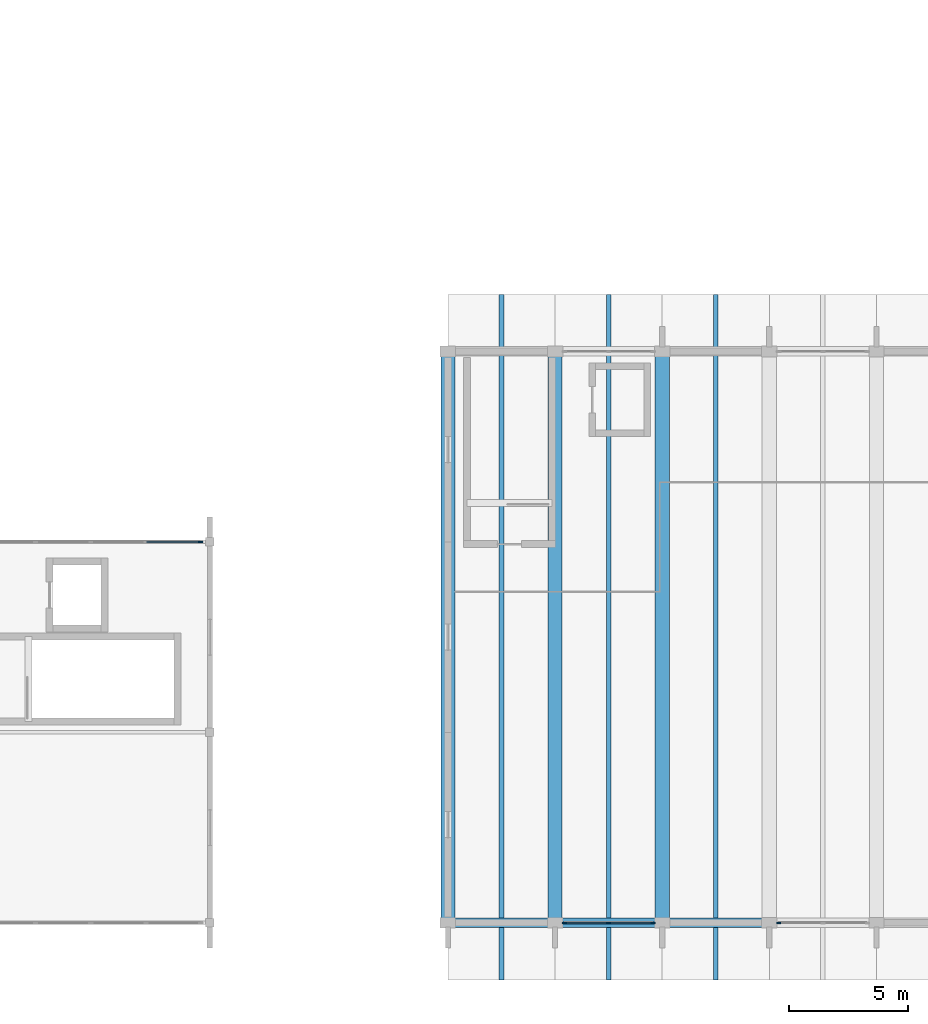
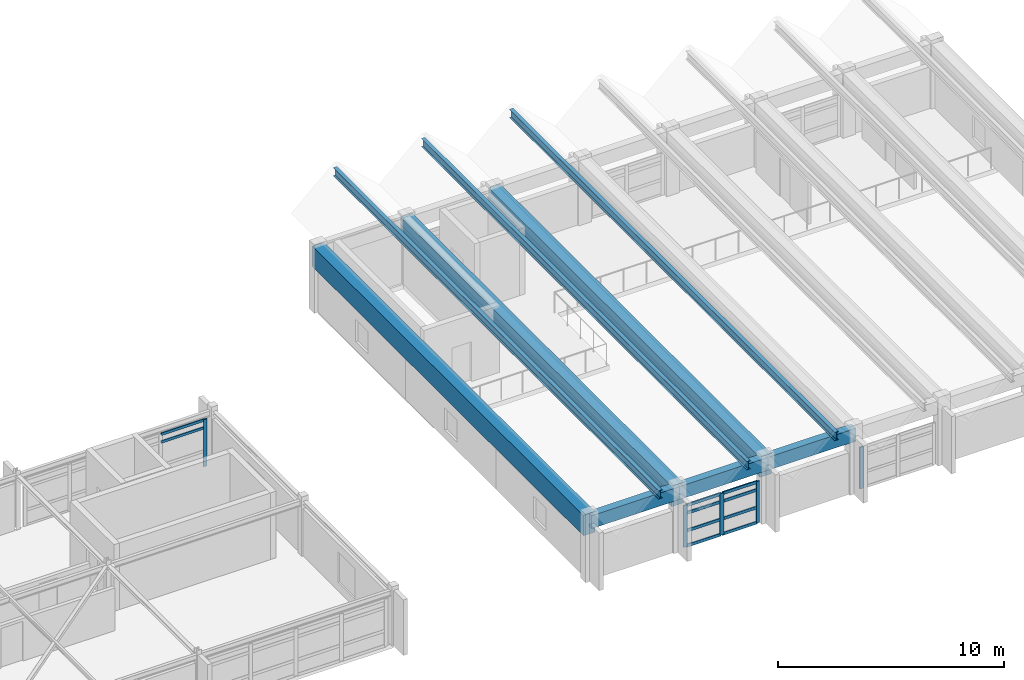
# One storey, part 13 of 83: 15 members, 9 beams, 3 elements without a shape of their own.
"""IFC4 building model written with IfcOpenShell, lengths in metres."""

from ifc_helpers import new_model, si_unit, direction, frame, origin, origin_2d, place, context, subcontext, project, spatial, rectangle, i_section, extrude, material, material_profile, profile_set, type_object, element, aggregate, save


model = new_model("IFC4")

# Units and contexts
model_context = context("Model", 3, precision=1e-05, world=origin(), true_north=direction((0.0, 1.0)))
body_context = subcontext(model_context, "Body", "Model", "MODEL_VIEW")
ifc_project = project(units=[si_unit("LENGTHUNIT", "METRE"), si_unit("AREAUNIT", "SQUARE_METRE"), si_unit("VOLUMEUNIT", "CUBIC_METRE"), si_unit("PLANEANGLEUNIT", "RADIAN"), si_unit("MASSUNIT", "GRAM", prefix="KILO")], contexts=[model_context])

# Site, building, storey
site_placement = place(None, origin())
site = spatial("IfcSite", under=ifc_project, at=site_placement, CompositionType="ELEMENT")
building_placement = place(site_placement, origin())
building = spatial("IfcBuilding", under=site, at=building_placement, Name="Zimvara Arc Housing Community", CompositionType="ELEMENT")
storey_placement = place(building_placement, frame((0.0, 0.0, 4.5)))
storey = spatial("IfcBuildingStorey", under=building, at=storey_placement, Name="L01", CompositionType="ELEMENT", Elevation=4.5)

# Beams
ifc_material_1 = material(Name="Concrete C40/50", Category="concrete")
ifc_material_profile_1 = material_profile(ifc_material_1, rectangle(XDim=0.39990234375, YDim=0.699951171875, at=origin_2d()), Name="RC 400x700")
ifc_profile_set_1 = profile_set([ifc_material_profile_1], Name="Concrete C40/50")
beam_type_1 = type_object("IfcBeamType", Name="BM-RC-400x700", PredefinedType="BEAM", material=ifc_profile_set_1)
for number, where, z_axis, x_axis, name in (
    (1, (68.0, 3.60009765625, 3.14990234375), (1.0, 0.0, 0.0), (0.0, 1.0, 0.0), "bm:hall:L01:eave:y0:b0"),
    (2, (72.5, 3.60009765625, 3.14990234375), (1.0, 0.0, 0.0), (0.0, 1.0, 0.0), "bm:hall:L01:eave:y0:b1"),
    (3, (77.0, 3.60009765625, 3.14990234375), (1.0, 0.0, 0.0), (0.0, 1.0, 0.0), "bm:hall:L01:eave:y0:b2"),
):
    element("IfcBeam", number, at=place(storey_placement, frame(where, z_axis=z_axis, x_axis=x_axis)), inside=storey, type_object=beam_type_1, Name=name, PredefinedType="BEAM", context=body_context, shape_type="SweptSolid", body=[
        extrude(rectangle(XDim=0.39990234375, YDim=0.699951171875, at=origin_2d()), origin(), (0.0, 0.0, 1.0), 4.5),
    ])
ifc_material_2 = material(Name="Concrete C40/50", Category="concrete")
ifc_material_profile_2 = material_profile(ifc_material_2, rectangle(XDim=0.60009765625, YDim=1.10009765625, at=origin_2d()), Name="RC 600x1100")
ifc_profile_set_2 = profile_set([ifc_material_profile_2], Name="Concrete C40/50")
beam_type_2 = type_object("IfcBeamType", Name="BM-RC-600x1100", PredefinedType="BEAM", material=ifc_profile_set_2)
for number, where, z_axis, x_axis, name in (
    (4, (68.0, 3.60009765625, 2.949951171875), (0.0, 1.0, 0.0), (-1.0, 0.0, 0.0), "bm:hall:L01:valley:b0"),
    (5, (72.5, 3.60009765625, 2.949951171875), (0.0, 1.0, 0.0), (-1.0, 0.0, 0.0), "bm:hall:L01:valley:b1"),
    (6, (77.0, 3.60009765625, 2.949951171875), (0.0, 1.0, 0.0), (-1.0, 0.0, 0.0), "bm:hall:L01:valley:b2"),
):
    element("IfcBeam", number, at=place(storey_placement, frame(where, z_axis=z_axis, x_axis=x_axis)), inside=storey, type_object=beam_type_2, Name=name, PredefinedType="BEAM", context=body_context, shape_type="SweptSolid", body=[
        extrude(rectangle(XDim=0.60009765625, YDim=1.10009765625, at=origin_2d()), origin(), (0.0, 0.0, 1.0), 24.0),
    ])
ifc_material_3 = material(Name="Steel S355", Category="steel")
ifc_material_profile_3 = material_profile(ifc_material_3, i_section(OverallWidth=0.18994140625, OverallDepth=0.449951171875, WebThickness=0.009521484375, FlangeThickness=0.0146484375, FilletRadius=0.02099609375, at=origin_2d()), Name="IPE 450")
ifc_profile_set_3 = profile_set([ifc_material_profile_3], Name="Steel S355")
beam_type_3 = type_object("IfcBeamType", Name="BM-ST-IPE450", PredefinedType="BEAM", material=ifc_profile_set_3)
for number, where, z_axis, x_axis, name in (
    (7, (70.25, 1.199951171875, 5.199951171875), (0.0, 1.0, 0.0), (-1.0, 0.0, 0.0), "bm:hall:L01:ridge:b0"),
    (8, (74.75, 1.199951171875, 5.199951171875), (0.0, 1.0, 0.0), (-1.0, 0.0, 0.0), "bm:hall:L01:ridge:b1"),
    (9, (79.25, 1.199951171875, 5.199951171875), (0.0, 1.0, 0.0), (-1.0, 0.0, 0.0), "bm:hall:L01:ridge:b2"),
):
    element("IfcBeam", number, at=place(storey_placement, frame(where, z_axis=z_axis, x_axis=x_axis)), inside=storey, type_object=beam_type_3, Name=name, PredefinedType="BEAM", context=body_context, shape_type="SweptSolid", body=[
        extrude(i_section(OverallWidth=0.18994140625, OverallDepth=0.449951171875, WebThickness=0.009521484375, FlangeThickness=0.0146484375, FilletRadius=0.02099609375, at=origin_2d()), origin(), (0.0, 0.0, 1.0), 28.800048828125),
    ])

# Curtain wall, member
ifc_material_4 = material(Name="Anodised Aluminium AW-6063", Category="aluminium")
curtain_wall_type_1 = type_object("IfcCurtainWallType", Name="CW-SYS-04", PredefinedType="USERDEFINED", material=ifc_material_4)
curtain_wall_1_placement = place(storey_placement, origin())
curtain_wall_1 = element("IfcCurtainWall", 10, at=curtain_wall_1_placement, inside=storey, type_object=curtain_wall_type_1, Name="cw:hall:L01:south:b3", ObjectType="CURTAIN WALL", PredefinedType="USERDEFINED")
ifc_material_5 = material(Name="Anodised Aluminium AW-6063", Category="aluminium")
ifc_material_profile_4 = material_profile(ifc_material_5, rectangle(XDim=0.06494140625, YDim=0.179931640625, at=origin_2d()), Name="ALU 65x180")
ifc_profile_set_4 = profile_set([ifc_material_profile_4], Name="Anodised Aluminium AW-6063")
member_type_1 = type_object("IfcMemberType", Name="CWM-65x150", PredefinedType="MULLION", material=ifc_profile_set_4)
member_1_placement = place(storey_placement, frame((81.892578125, 3.60009765625, 0.0), z_axis=(0.0, 0.0, 1.0), x_axis=(0.0, 1.0, 0.0)))
member_1 = element("IfcMember", 11, at=member_1_placement, type_object=member_type_1, Name="CW04 mullion 1", PredefinedType="MULLION", context=body_context, shape_type="SweptSolid", body=[
    extrude(rectangle(XDim=0.06494140625, YDim=0.179931640625, at=origin_2d()), origin(), (0.0, 0.0, 1.0), 2.25),
])
aggregate(curtain_wall_1, [member_1])

curtain_wall_2_placement = place(storey_placement, origin())
curtain_wall_2 = element("IfcCurtainWall", 12, at=curtain_wall_2_placement, inside=storey, type_object=curtain_wall_type_1, Name="cw:shops:L01:north:b5", ObjectType="CURTAIN WALL", PredefinedType="USERDEFINED")
member_2_placement = place(storey_placement, frame((57.607421875, 19.60009765625, 0.0), z_axis=(0.0, 0.0, 1.0), x_axis=(0.0, 1.0, 0.0)))
member_2 = element("IfcMember", 13, at=member_2_placement, type_object=member_type_1, Name="CW04 mullion 5", PredefinedType="MULLION", context=body_context, shape_type="SweptSolid", body=[
    extrude(rectangle(XDim=0.06494140625, YDim=0.179931640625, at=origin_2d()), origin(), (0.0, 0.0, 1.0), 2.550048828125),
])

# Curtain wall, members
ifc_material_6 = material(Name="Anodised Aluminium AW-6063", Category="aluminium")
curtain_wall_type_2 = type_object("IfcCurtainWallType", Name="CW-SYS-03", PredefinedType="USERDEFINED", material=ifc_material_6)
curtain_wall_3_placement = place(storey_placement, origin())
curtain_wall_3 = element("IfcCurtainWall", 14, at=curtain_wall_3_placement, inside=storey, type_object=curtain_wall_type_2, Name="cw:hall:L01:south:b1", ObjectType="CURTAIN WALL", PredefinedType="USERDEFINED")
ifc_material_7 = material(Name="Anodised Aluminium AW-6063", Category="aluminium")
ifc_material_profile_5 = material_profile(ifc_material_7, rectangle(XDim=0.06494140625, YDim=0.195068359375, at=origin_2d()), Name="ALU 65x195")
ifc_profile_set_5 = profile_set([ifc_material_profile_5], Name="Anodised Aluminium AW-6063")
member_type_2 = type_object("IfcMemberType", Name="CWM-65x180", PredefinedType="MULLION", material=ifc_profile_set_5)
member_3_placement = place(storey_placement, frame((72.892578125, 3.60009765625, 0.0), z_axis=(0.0, 0.0, 1.0), x_axis=(0.0, 1.0, 0.0)))
member_3 = element("IfcMember", 15, at=member_3_placement, type_object=member_type_2, Name="CW03 mullion 1", PredefinedType="MULLION", context=body_context, shape_type="SweptSolid", body=[
    extrude(rectangle(XDim=0.06494140625, YDim=0.195068359375, at=origin_2d()), origin(), (0.0, 0.0, 1.0), 2.25),
])
member_4_placement = place(storey_placement, frame((74.75, 3.60009765625, 0.0), z_axis=(0.0, 0.0, 1.0), x_axis=(0.0, 1.0, 0.0)))
member_4 = element("IfcMember", 16, at=member_4_placement, type_object=member_type_2, Name="CW03 mullion 2", PredefinedType="MULLION", context=body_context, shape_type="SweptSolid", body=[
    extrude(rectangle(XDim=0.06494140625, YDim=0.195068359375, at=origin_2d()), origin(), (0.0, 0.0, 1.0), 2.25),
])
member_5_placement = place(storey_placement, frame((76.607421875, 3.60009765625, 0.0), z_axis=(0.0, 0.0, 1.0), x_axis=(0.0, 1.0, 0.0)))
member_5 = element("IfcMember", 17, at=member_5_placement, type_object=member_type_2, Name="CW03 mullion 3", PredefinedType="MULLION", context=body_context, shape_type="SweptSolid", body=[
    extrude(rectangle(XDim=0.06494140625, YDim=0.195068359375, at=origin_2d()), origin(), (0.0, 0.0, 1.0), 2.25),
])

# Member
ifc_material_8 = material(Name="Anodised Aluminium AW-6063", Category="aluminium")
ifc_material_profile_6 = material_profile(ifc_material_8, rectangle(XDim=0.06494140625, YDim=0.139892578125, at=origin_2d()), Name="ALU 65x140")
ifc_profile_set_6 = profile_set([ifc_material_profile_6], Name="Anodised Aluminium AW-6063")
member_type_3 = type_object("IfcMemberType", Name="CWT-65x120", PredefinedType="USERDEFINED", material=ifc_profile_set_6)
member_6_placement = place(storey_placement, frame((55.3525390625, 19.60009765625, 2.10009765625), z_axis=(1.0, 0.0, 0.0), x_axis=(0.0, 1.0, 0.0)))
member_6 = element("IfcMember", 18, at=member_6_placement, type_object=member_type_3, Name="CW04 transom 4.3", ObjectType="TRANSOM", PredefinedType="USERDEFINED", context=body_context, shape_type="SweptSolid", body=[
    extrude(rectangle(XDim=0.06494140625, YDim=0.139892578125, at=origin_2d()), origin(), (0.0, 0.0, 1.0), 2.222412109375),
])

member_7_placement = place(storey_placement, frame((55.3525390625, 19.60009765625, 2.517578125), z_axis=(1.0, 0.0, 0.0), x_axis=(0.0, 1.0, 0.0)))
member_7 = element("IfcMember", 19, at=member_7_placement, type_object=member_type_3, Name="CW04 transom 4.4", ObjectType="TRANSOM", PredefinedType="USERDEFINED", context=body_context, shape_type="SweptSolid", body=[
    extrude(rectangle(XDim=0.06494140625, YDim=0.139892578125, at=origin_2d()), origin(), (0.0, 0.0, 1.0), 2.222412109375),
])

aggregate(curtain_wall_2, [member_2, member_6, member_7])

ifc_material_9 = material(Name="Anodised Aluminium AW-6063", Category="aluminium")
ifc_material_profile_7 = material_profile(ifc_material_9, rectangle(XDim=0.06494140625, YDim=0.155029296875, at=origin_2d()), Name="ALU 65x155")
ifc_profile_set_7 = profile_set([ifc_material_profile_7], Name="Anodised Aluminium AW-6063")
member_type_4 = type_object("IfcMemberType", Name="CWT-65x140", PredefinedType="USERDEFINED", material=ifc_profile_set_7)
member_8_placement = place(storey_placement, frame((72.925048828125, 3.60009765625, 0.032470703125), z_axis=(1.0, 0.0, 0.0), x_axis=(0.0, 1.0, 0.0)))
member_8 = element("IfcMember", 20, at=member_8_placement, type_object=member_type_4, Name="CW03 transom 1.1", ObjectType="TRANSOM", PredefinedType="USERDEFINED", context=body_context, shape_type="SweptSolid", body=[
    extrude(rectangle(XDim=0.06494140625, YDim=0.155029296875, at=origin_2d()), origin(), (0.0, 0.0, 1.0), 1.79248046875),
])

member_9_placement = place(storey_placement, frame((72.925048828125, 3.60009765625, 0.85009765625), z_axis=(1.0, 0.0, 0.0), x_axis=(0.0, 1.0, 0.0)))
member_9 = element("IfcMember", 21, at=member_9_placement, type_object=member_type_4, Name="CW03 transom 1.2", ObjectType="TRANSOM", PredefinedType="USERDEFINED", context=body_context, shape_type="SweptSolid", body=[
    extrude(rectangle(XDim=0.06494140625, YDim=0.155029296875, at=origin_2d()), origin(), (0.0, 0.0, 1.0), 1.79248046875),
])

member_10_placement = place(storey_placement, frame((72.925048828125, 3.60009765625, 1.800048828125), z_axis=(1.0, 0.0, 0.0), x_axis=(0.0, 1.0, 0.0)))
member_10 = element("IfcMember", 22, at=member_10_placement, type_object=member_type_4, Name="CW03 transom 1.3", ObjectType="TRANSOM", PredefinedType="USERDEFINED", context=body_context, shape_type="SweptSolid", body=[
    extrude(rectangle(XDim=0.06494140625, YDim=0.155029296875, at=origin_2d()), origin(), (0.0, 0.0, 1.0), 1.79248046875),
])

member_11_placement = place(storey_placement, frame((72.925048828125, 3.60009765625, 2.217529296875), z_axis=(1.0, 0.0, 0.0), x_axis=(0.0, 1.0, 0.0)))
member_11 = element("IfcMember", 23, at=member_11_placement, type_object=member_type_4, Name="CW03 transom 1.4", ObjectType="TRANSOM", PredefinedType="USERDEFINED", context=body_context, shape_type="SweptSolid", body=[
    extrude(rectangle(XDim=0.06494140625, YDim=0.155029296875, at=origin_2d()), origin(), (0.0, 0.0, 1.0), 1.79248046875),
])

member_12_placement = place(storey_placement, frame((74.782470703125, 3.60009765625, 0.032470703125), z_axis=(1.0, 0.0, 0.0), x_axis=(0.0, 1.0, 0.0)))
member_12 = element("IfcMember", 24, at=member_12_placement, type_object=member_type_4, Name="CW03 transom 2.1", ObjectType="TRANSOM", PredefinedType="USERDEFINED", context=body_context, shape_type="SweptSolid", body=[
    extrude(rectangle(XDim=0.06494140625, YDim=0.155029296875, at=origin_2d()), origin(), (0.0, 0.0, 1.0), 1.79248046875),
])

member_13_placement = place(storey_placement, frame((74.782470703125, 3.60009765625, 0.85009765625), z_axis=(1.0, 0.0, 0.0), x_axis=(0.0, 1.0, 0.0)))
member_13 = element("IfcMember", 25, at=member_13_placement, type_object=member_type_4, Name="CW03 transom 2.2", ObjectType="TRANSOM", PredefinedType="USERDEFINED", context=body_context, shape_type="SweptSolid", body=[
    extrude(rectangle(XDim=0.06494140625, YDim=0.155029296875, at=origin_2d()), origin(), (0.0, 0.0, 1.0), 1.79248046875),
])

member_14_placement = place(storey_placement, frame((74.782470703125, 3.60009765625, 1.800048828125), z_axis=(1.0, 0.0, 0.0), x_axis=(0.0, 1.0, 0.0)))
member_14 = element("IfcMember", 26, at=member_14_placement, type_object=member_type_4, Name="CW03 transom 2.3", ObjectType="TRANSOM", PredefinedType="USERDEFINED", context=body_context, shape_type="SweptSolid", body=[
    extrude(rectangle(XDim=0.06494140625, YDim=0.155029296875, at=origin_2d()), origin(), (0.0, 0.0, 1.0), 1.79248046875),
])

member_15_placement = place(storey_placement, frame((74.782470703125, 3.60009765625, 2.217529296875), z_axis=(1.0, 0.0, 0.0), x_axis=(0.0, 1.0, 0.0)))
member_15 = element("IfcMember", 27, at=member_15_placement, type_object=member_type_4, Name="CW03 transom 2.4", ObjectType="TRANSOM", PredefinedType="USERDEFINED", context=body_context, shape_type="SweptSolid", body=[
    extrude(rectangle(XDim=0.06494140625, YDim=0.155029296875, at=origin_2d()), origin(), (0.0, 0.0, 1.0), 1.79248046875),
])

aggregate(curtain_wall_3, [member_3, member_4, member_5, member_8, member_9, member_10, member_11, member_12, member_13, member_14, member_15])

save(model, "model.ifc")
